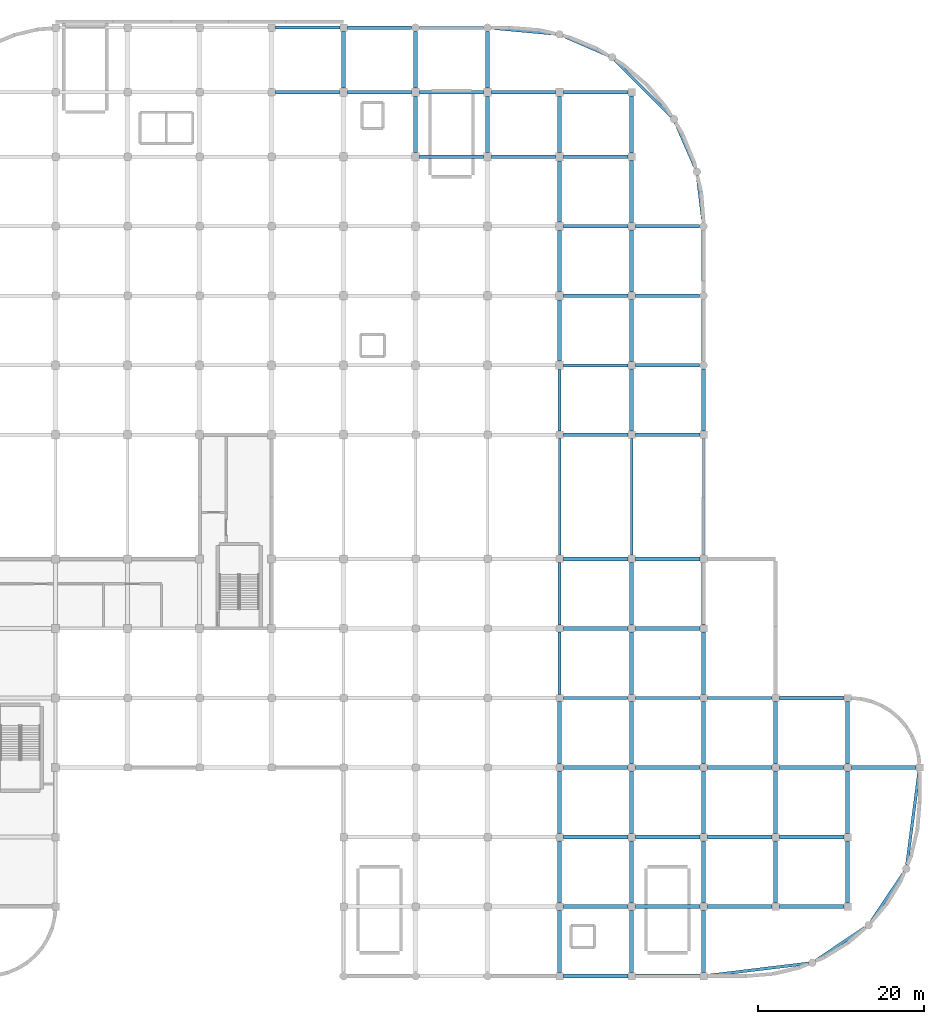
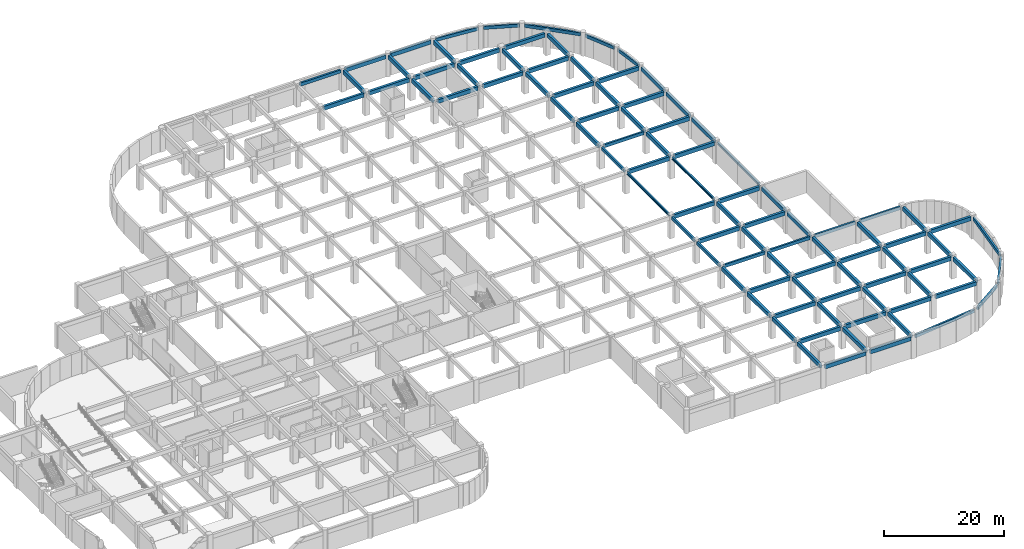
# One storey, part 5 of 19: 96 beams.
"""IFC4 building model written with IfcOpenShell, lengths in metres."""

from ifc_helpers import new_model, si_unit, derived_unit, direction, frame, origin, origin_2d, place, context, subcontext, project, spatial, rectangle, i_section, extrude, material, material_profile, profile_set, type_object, element, save


model = new_model("IFC4")

# Units and contexts
model_context = context("Model", 3, precision=1e-05, world=origin(), true_north=direction((0.0, 1.0)))
body_context = subcontext(model_context, "Body", "Model", "MODEL_VIEW")
ifc_project = project(units=[si_unit("LENGTHUNIT", "METRE"), si_unit("AREAUNIT", "SQUARE_METRE"), si_unit("VOLUMEUNIT", "CUBIC_METRE"), si_unit("PLANEANGLEUNIT", "RADIAN"), si_unit("MASSUNIT", "GRAM", prefix="KILO"), derived_unit("THERMALTRANSMITTANCEUNIT", [(si_unit("MASSUNIT", "GRAM", prefix="KILO"), 1), (si_unit("TIMEUNIT", "SECOND"), -3), (si_unit("THERMODYNAMICTEMPERATUREUNIT", "KELVIN"), -1)])], contexts=[model_context])

# Site, building, storey
site_placement = place(None, origin())
site = spatial("IfcSite", under=ifc_project, at=site_placement, CompositionType="ELEMENT")
building_placement = place(site_placement, origin())
building = spatial("IfcBuilding", under=site, at=building_placement, Name="Qinzheling Arcade Emporium", CompositionType="ELEMENT")
storey_placement = place(building_placement, frame((0.0, 0.0, -4.800048828125)))
storey = spatial("IfcBuildingStorey", under=building, at=storey_placement, Name="B1", CompositionType="ELEMENT", Elevation=-4.800048828125)

# Beams
ifc_material_1 = material(Name="Structural steel Q355B", Category="steel")
ifc_material_profile_1 = material_profile(ifc_material_1, i_section(OverallWidth=0.300048828125, OverallDepth=0.488037109375, WebThickness=0.010986328125, FlangeThickness=0.01806640625, FilletRadius=0.02197265625, at=origin_2d()), Name="HM 488x300x11x18", Category="steel")
ifc_profile_set_1 = profile_set([ifc_material_profile_1], Name="Structural steel Q355B")
beam_type_1 = type_object("IfcBeamType", Name="Atrium Bridge Girder HM488 Q355B", PredefinedType="USERDEFINED", material=ifc_profile_set_1)
for number, where, z_axis, x_axis, name in (
    (1, (130.5, 50.85009765625, 4.216064453125), (0.0, 1.0, 0.0), (-1.0, 0.0, 0.0), "Beam BM-B1-Y-16-G"),
    (2, (139.199951171875, 50.85009765625, 4.216064453125), (0.0, 1.0, 0.0), (-1.0, 0.0, 0.0), "Beam BM-B1-Y-17-G"),
    (3, (147.89990234375, 50.85009765625, 4.216064453125), (0.0, 1.0, 0.0), (-1.0, 0.0, 0.0), "Beam BM-B1-Y-18-G"),
):
    element("IfcBeam", number, at=place(storey_placement, frame(where, z_axis=z_axis, x_axis=x_axis)), inside=storey, type_object=beam_type_1, Name=name, ObjectType="TRANSFER_GIRDER", PredefinedType="USERDEFINED", context=body_context, shape_type="SweptSolid", body=[
        extrude(i_section(OverallWidth=0.300048828125, OverallDepth=0.488037109375, WebThickness=0.010986328125, FlangeThickness=0.01806640625, FilletRadius=0.02197265625, at=origin_2d()), origin(), (0.0, 0.0, 1.0), 14.099853515625),
    ])
ifc_material_2 = material(Name="Concrete C40", Category="concrete")
ifc_material_profile_2 = material_profile(ifc_material_2, rectangle(XDim=0.449951171875, YDim=0.800048828125, at=origin_2d()), Name="RC 450x800", Category="concrete")
ifc_profile_set_2 = profile_set([ifc_material_profile_2], Name="Concrete C40")
beam_type_2 = type_object("IfcBeamType", Name="RC Primary Frame Beam 450x800 C40", PredefinedType="BEAM", material=ifc_profile_set_2)
for number, where, z_axis, x_axis, name in (
    (4, (130.949951171875, 0.0, 4.06005859375), (1.0, 0.0, 0.0), (0.0, 1.0, 0.0), "Beam BM-B1-X-A-16"),
    (5, (139.64990234375, 0.0, 4.06005859375), (1.0, 0.0, 0.0), (0.0, 1.0, 0.0), "Beam BM-B1-X-A-17"),
    (6, (130.949951171875, 8.39990234375, 4.06005859375), (1.0, 0.0, 0.0), (0.0, 1.0, 0.0), "Beam BM-B1-X-B-16"),
    (7, (139.64990234375, 8.39990234375, 4.06005859375), (1.0, 0.0, 0.0), (0.0, 1.0, 0.0), "Beam BM-B1-X-B-17"),
):
    element("IfcBeam", number, at=place(storey_placement, frame(where, z_axis=z_axis, x_axis=x_axis)), inside=storey, type_object=beam_type_2, Name=name, PredefinedType="BEAM", context=body_context, shape_type="SweptSolid", body=[
        extrude(rectangle(XDim=0.449951171875, YDim=0.800048828125, at=origin_2d()), origin(), (0.0, 0.0, 1.0), 7.800048828125),
    ])
beam_1_placement = place(storey_placement, frame((148.35009765625, 8.39990234375, 4.06005859375), z_axis=(1.0, 0.0, 0.0), x_axis=(0.0, 1.0, 0.0)))
element("IfcBeam", 8, at=beam_1_placement, inside=storey, type_object=beam_type_2, Name="Beam BM-B1-X-B-18", PredefinedType="BEAM", context=body_context, shape_type="SweptSolid", body=[
    extrude(rectangle(XDim=0.449951171875, YDim=0.800048828125, at=origin_2d()), origin(), (0.0, 0.0, 1.0), 7.7998046875),
])
for number, where, z_axis, x_axis, name in (
    (9, (157.050048828125, 8.39990234375, 4.06005859375), (1.0, 0.0, 0.0), (0.0, 1.0, 0.0), "Beam BM-B1-X-B-19"),
    (10, (130.949951171875, 16.800048828125, 4.06005859375), (1.0, 0.0, 0.0), (0.0, 1.0, 0.0), "Beam BM-B1-X-C-16"),
    (11, (139.64990234375, 16.800048828125, 4.06005859375), (1.0, 0.0, 0.0), (0.0, 1.0, 0.0), "Beam BM-B1-X-C-17"),
):
    element("IfcBeam", number, at=place(storey_placement, frame(where, z_axis=z_axis, x_axis=x_axis)), inside=storey, type_object=beam_type_2, Name=name, PredefinedType="BEAM", context=body_context, shape_type="SweptSolid", body=[
        extrude(rectangle(XDim=0.449951171875, YDim=0.800048828125, at=origin_2d()), origin(), (0.0, 0.0, 1.0), 7.800048828125),
    ])
beam_2_placement = place(storey_placement, frame((148.35009765625, 16.800048828125, 4.06005859375), z_axis=(1.0, 0.0, 0.0), x_axis=(0.0, 1.0, 0.0)))
element("IfcBeam", 12, at=beam_2_placement, inside=storey, type_object=beam_type_2, Name="Beam BM-B1-X-C-18", PredefinedType="BEAM", context=body_context, shape_type="SweptSolid", body=[
    extrude(rectangle(XDim=0.449951171875, YDim=0.800048828125, at=origin_2d()), origin(), (0.0, 0.0, 1.0), 7.7998046875),
])
for number, where, z_axis, x_axis, name in (
    (13, (157.050048828125, 16.800048828125, 4.06005859375), (1.0, 0.0, 0.0), (0.0, 1.0, 0.0), "Beam BM-B1-X-C-19"),
    (14, (130.949951171875, 25.199951171875, 4.06005859375), (1.0, 0.0, 0.0), (0.0, 1.0, 0.0), "Beam BM-B1-X-D-16"),
    (15, (139.64990234375, 25.199951171875, 4.06005859375), (1.0, 0.0, 0.0), (0.0, 1.0, 0.0), "Beam BM-B1-X-D-17"),
):
    element("IfcBeam", number, at=place(storey_placement, frame(where, z_axis=z_axis, x_axis=x_axis)), inside=storey, type_object=beam_type_2, Name=name, PredefinedType="BEAM", context=body_context, shape_type="SweptSolid", body=[
        extrude(rectangle(XDim=0.449951171875, YDim=0.800048828125, at=origin_2d()), origin(), (0.0, 0.0, 1.0), 7.800048828125),
    ])
beam_3_placement = place(storey_placement, frame((148.35009765625, 25.199951171875, 4.06005859375), z_axis=(1.0, 0.0, 0.0), x_axis=(0.0, 1.0, 0.0)))
element("IfcBeam", 16, at=beam_3_placement, inside=storey, type_object=beam_type_2, Name="Beam BM-B1-X-D-18", PredefinedType="BEAM", context=body_context, shape_type="SweptSolid", body=[
    extrude(rectangle(XDim=0.449951171875, YDim=0.800048828125, at=origin_2d()), origin(), (0.0, 0.0, 1.0), 7.7998046875),
])
for number, where, z_axis, x_axis, name in (
    (17, (157.050048828125, 25.199951171875, 4.06005859375), (1.0, 0.0, 0.0), (0.0, 1.0, 0.0), "Beam BM-B1-X-D-19"),
    (18, (165.75, 25.199951171875, 4.06005859375), (1.0, 0.0, 0.0), (0.0, 1.0, 0.0), "Beam BM-B1-X-D-20"),
    (19, (130.949951171875, 42.0, 4.06005859375), (1.0, 0.0, 0.0), (0.0, 1.0, 0.0), "Beam BM-B1-X-F-16"),
    (20, (139.64990234375, 42.0, 4.06005859375), (1.0, 0.0, 0.0), (0.0, 1.0, 0.0), "Beam BM-B1-X-F-17"),
    (21, (130.949951171875, 50.39990234375, 4.06005859375), (1.0, 0.0, 0.0), (0.0, 1.0, 0.0), "Beam BM-B1-X-G-16"),
    (22, (139.64990234375, 50.39990234375, 4.06005859375), (1.0, 0.0, 0.0), (0.0, 1.0, 0.0), "Beam BM-B1-X-G-17"),
    (23, (130.949951171875, 65.39990234375, 4.06005859375), (1.0, 0.0, 0.0), (0.0, 1.0, 0.0), "Beam BM-B1-X-H-16"),
    (24, (139.64990234375, 65.39990234375, 4.06005859375), (1.0, 0.0, 0.0), (0.0, 1.0, 0.0), "Beam BM-B1-X-H-17"),
):
    element("IfcBeam", number, at=place(storey_placement, frame(where, z_axis=z_axis, x_axis=x_axis)), inside=storey, type_object=beam_type_2, Name=name, PredefinedType="BEAM", context=body_context, shape_type="SweptSolid", body=[
        extrude(rectangle(XDim=0.449951171875, YDim=0.800048828125, at=origin_2d()), origin(), (0.0, 0.0, 1.0), 7.800048828125),
    ])
beam_4_placement = place(storey_placement, frame((139.64990234375, 73.800048828125, 4.06005859375), z_axis=(1.0, 0.0, 0.0), x_axis=(0.0, 1.0, 0.0)))
element("IfcBeam", 25, at=beam_4_placement, inside=storey, type_object=beam_type_2, Name="Beam BM-B1-X-J-17", PredefinedType="BEAM", context=body_context, shape_type="SweptSolid", body=[
    extrude(rectangle(XDim=0.449951171875, YDim=0.800048828125, at=origin_2d()), origin(), (0.0, 0.0, 1.0), 7.775146484375),
])
beam_5_placement = place(storey_placement, frame((131.0, 82.199951171875, 4.06005859375), z_axis=(1.0, 0.0, 0.0), x_axis=(0.0, 1.0, 0.0)))
element("IfcBeam", 26, at=beam_5_placement, inside=storey, type_object=beam_type_2, Name="Beam BM-B1-X-K-16", PredefinedType="BEAM", context=body_context, shape_type="SweptSolid", body=[
    extrude(rectangle(XDim=0.449951171875, YDim=0.800048828125, at=origin_2d()), origin(), (0.0, 0.0, 1.0), 7.75),
])
beam_6_placement = place(storey_placement, frame((139.64990234375, 82.199951171875, 4.06005859375), z_axis=(1.0, 0.0, 0.0), x_axis=(0.0, 1.0, 0.0)))
element("IfcBeam", 27, at=beam_6_placement, inside=storey, type_object=beam_type_2, Name="Beam BM-B1-X-K-17", PredefinedType="BEAM", context=body_context, shape_type="SweptSolid", body=[
    extrude(rectangle(XDim=0.449951171875, YDim=0.800048828125, at=origin_2d()), origin(), (0.0, 0.0, 1.0), 7.775146484375),
])
beam_7_placement = place(storey_placement, frame((131.0, 90.60009765625, 4.06005859375), z_axis=(1.0, 0.0, 0.0), x_axis=(0.0, 1.0, 0.0)))
element("IfcBeam", 28, at=beam_7_placement, inside=storey, type_object=beam_type_2, Name="Beam BM-B1-X-L-16", PredefinedType="BEAM", context=body_context, shape_type="SweptSolid", body=[
    extrude(rectangle(XDim=0.449951171875, YDim=0.800048828125, at=origin_2d()), origin(), (0.0, 0.0, 1.0), 7.75),
])
beam_8_placement = place(storey_placement, frame((139.64990234375, 90.60009765625, 4.06005859375), z_axis=(1.0, 0.0, 0.0), x_axis=(0.0, 1.0, 0.0)))
element("IfcBeam", 29, at=beam_8_placement, inside=storey, type_object=beam_type_2, Name="Beam BM-B1-X-L-17", PredefinedType="BEAM", context=body_context, shape_type="SweptSolid", body=[
    extrude(rectangle(XDim=0.449951171875, YDim=0.800048828125, at=origin_2d()), origin(), (0.0, 0.0, 1.0), 7.775146484375),
])
for number, where, z_axis, x_axis, name in (
    (30, (113.60009765625, 99.0, 4.06005859375), (1.0, 0.0, 0.0), (0.0, 1.0, 0.0), "Beam BM-B1-X-M-14"),
    (31, (122.300048828125, 99.0, 4.06005859375), (1.0, 0.0, 0.0), (0.0, 1.0, 0.0), "Beam BM-B1-X-M-15"),
):
    element("IfcBeam", number, at=place(storey_placement, frame(where, z_axis=z_axis, x_axis=x_axis)), inside=storey, type_object=beam_type_2, Name=name, PredefinedType="BEAM", context=body_context, shape_type="SweptSolid", body=[
        extrude(rectangle(XDim=0.449951171875, YDim=0.800048828125, at=origin_2d()), origin(), (0.0, 0.0, 1.0), 7.699951171875),
    ])
for number, where, z_axis, x_axis, name in (
    (32, (131.0, 99.0, 4.06005859375), (1.0, 0.0, 0.0), (0.0, 1.0, 0.0), "Beam BM-B1-X-M-16"),
    (33, (96.14990234375, 106.800048828125, 4.06005859375), (1.0, 0.0, 0.0), (0.0, 1.0, 0.0), "Beam BM-B1-X-N-12"),
):
    element("IfcBeam", number, at=place(storey_placement, frame(where, z_axis=z_axis, x_axis=x_axis)), inside=storey, type_object=beam_type_2, Name=name, PredefinedType="BEAM", context=body_context, shape_type="SweptSolid", body=[
        extrude(rectangle(XDim=0.449951171875, YDim=0.800048828125, at=origin_2d()), origin(), (0.0, 0.0, 1.0), 7.75),
    ])
beam_9_placement = place(storey_placement, frame((104.89990234375, 106.800048828125, 4.06005859375), z_axis=(1.0, 0.0, 0.0), x_axis=(0.0, 1.0, 0.0)))
element("IfcBeam", 34, at=beam_9_placement, inside=storey, type_object=beam_type_2, Name="Beam BM-B1-X-N-13", PredefinedType="BEAM", context=body_context, shape_type="SweptSolid", body=[
    extrude(rectangle(XDim=0.449951171875, YDim=0.800048828125, at=origin_2d()), origin(), (0.0, 0.0, 1.0), 7.7001953125),
])
for number, where, z_axis, x_axis, name in (
    (35, (113.60009765625, 106.800048828125, 4.06005859375), (1.0, 0.0, 0.0), (0.0, 1.0, 0.0), "Beam BM-B1-X-N-14"),
    (36, (122.300048828125, 106.800048828125, 4.06005859375), (1.0, 0.0, 0.0), (0.0, 1.0, 0.0), "Beam BM-B1-X-N-15"),
):
    element("IfcBeam", number, at=place(storey_placement, frame(where, z_axis=z_axis, x_axis=x_axis)), inside=storey, type_object=beam_type_2, Name=name, PredefinedType="BEAM", context=body_context, shape_type="SweptSolid", body=[
        extrude(rectangle(XDim=0.449951171875, YDim=0.800048828125, at=origin_2d()), origin(), (0.0, 0.0, 1.0), 7.699951171875),
    ])
beam_10_placement = place(storey_placement, frame((131.0, 106.800048828125, 4.06005859375), z_axis=(1.0, 0.0, 0.0), x_axis=(0.0, 1.0, 0.0)))
element("IfcBeam", 37, at=beam_10_placement, inside=storey, type_object=beam_type_2, Name="Beam BM-B1-X-N-16", PredefinedType="BEAM", context=body_context, shape_type="SweptSolid", body=[
    extrude(rectangle(XDim=0.449951171875, YDim=0.800048828125, at=origin_2d()), origin(), (0.0, 0.0, 1.0), 7.75),
])
beam_11_placement = place(storey_placement, frame((104.85009765625, 114.60009765625, 4.06005859375), z_axis=(1.0, 0.0, 0.0), x_axis=(0.0, 1.0, 0.0)))
element("IfcBeam", 38, at=beam_11_placement, inside=storey, type_object=beam_type_2, Name="Beam BM-B1-X-P-13", PredefinedType="BEAM", context=body_context, shape_type="SweptSolid", body=[
    extrude(rectangle(XDim=0.449951171875, YDim=0.800048828125, at=origin_2d()), origin(), (0.0, 0.0, 1.0), 7.77490234375),
])
beam_12_placement = place(storey_placement, frame((113.574951171875, 114.60009765625, 4.06005859375), z_axis=(1.0, 0.0, 0.0), x_axis=(0.0, 1.0, 0.0)))
element("IfcBeam", 39, at=beam_12_placement, inside=storey, type_object=beam_type_2, Name="Beam BM-B1-X-P-14", PredefinedType="BEAM", context=body_context, shape_type="SweptSolid", body=[
    extrude(rectangle(XDim=0.449951171875, YDim=0.800048828125, at=origin_2d()), origin(), (0.0, 0.0, 1.0), 7.75),
])
beam_13_placement = place(storey_placement, frame((104.39990234375, 107.300048828125, 4.06005859375), z_axis=(0.0, 1.0, 0.0), x_axis=(-1.0, 0.0, 0.0)))
element("IfcBeam", 40, at=beam_13_placement, inside=storey, type_object=beam_type_2, Name="Beam BM-B1-Y-13-N", PredefinedType="BEAM", context=body_context, shape_type="SweptSolid", body=[
    extrude(rectangle(XDim=0.449951171875, YDim=0.800048828125, at=origin_2d()), origin(), (0.0, 0.0, 1.0), 6.849853515625),
])
beam_14_placement = place(storey_placement, frame((113.10009765625, 99.5, 4.06005859375), z_axis=(0.0, 1.0, 0.0), x_axis=(-1.0, 0.0, 0.0)))
element("IfcBeam", 41, at=beam_14_placement, inside=storey, type_object=beam_type_2, Name="Beam BM-B1-Y-14-M", PredefinedType="BEAM", context=body_context, shape_type="SweptSolid", body=[
    extrude(rectangle(XDim=0.449951171875, YDim=0.800048828125, at=origin_2d()), origin(), (0.0, 0.0, 1.0), 6.800048828125),
])
beam_15_placement = place(storey_placement, frame((113.10009765625, 107.300048828125, 4.06005859375), z_axis=(0.0, 1.0, 0.0), x_axis=(-1.0, 0.0, 0.0)))
element("IfcBeam", 42, at=beam_15_placement, inside=storey, type_object=beam_type_2, Name="Beam BM-B1-Y-14-N", PredefinedType="BEAM", context=body_context, shape_type="SweptSolid", body=[
    extrude(rectangle(XDim=0.449951171875, YDim=0.800048828125, at=origin_2d()), origin(), (0.0, 0.0, 1.0), 6.824951171875),
])
beam_16_placement = place(storey_placement, frame((121.800048828125, 99.5, 4.06005859375), z_axis=(0.0, 1.0, 0.0), x_axis=(-1.0, 0.0, 0.0)))
element("IfcBeam", 43, at=beam_16_placement, inside=storey, type_object=beam_type_2, Name="Beam BM-B1-Y-15-M", PredefinedType="BEAM", context=body_context, shape_type="SweptSolid", body=[
    extrude(rectangle(XDim=0.449951171875, YDim=0.800048828125, at=origin_2d()), origin(), (0.0, 0.0, 1.0), 6.800048828125),
])
beam_17_placement = place(storey_placement, frame((121.800048828125, 107.300048828125, 4.06005859375), z_axis=(0.0, 1.0, 0.0), x_axis=(-1.0, 0.0, 0.0)))
element("IfcBeam", 44, at=beam_17_placement, inside=storey, type_object=beam_type_2, Name="Beam BM-B1-Y-15-N", PredefinedType="BEAM", context=body_context, shape_type="SweptSolid", body=[
    extrude(rectangle(XDim=0.449951171875, YDim=0.800048828125, at=origin_2d()), origin(), (0.0, 0.0, 1.0), 6.824951171875),
])
for number, where, z_axis, x_axis, name in (
    (45, (130.5, 0.449951171875, 4.06005859375), (0.0, 1.0, 0.0), (-1.0, 0.0, 0.0), "Beam BM-B1-Y-16-A"),
    (46, (130.5, 8.85009765625, 4.06005859375), (0.0, 1.0, 0.0), (-1.0, 0.0, 0.0), "Beam BM-B1-Y-16-B"),
    (47, (130.5, 17.25, 4.06005859375), (0.0, 1.0, 0.0), (-1.0, 0.0, 0.0), "Beam BM-B1-Y-16-C"),
    (48, (130.5, 25.64990234375, 4.06005859375), (0.0, 1.0, 0.0), (-1.0, 0.0, 0.0), "Beam BM-B1-Y-16-D"),
):
    element("IfcBeam", number, at=place(storey_placement, frame(where, z_axis=z_axis, x_axis=x_axis)), inside=storey, type_object=beam_type_2, Name=name, PredefinedType="BEAM", context=body_context, shape_type="SweptSolid", body=[
        extrude(rectangle(XDim=0.449951171875, YDim=0.800048828125, at=origin_2d()), origin(), (0.0, 0.0, 1.0), 7.5),
    ])
beam_18_placement = place(storey_placement, frame((130.5, 74.300048828125, 4.06005859375), z_axis=(0.0, 1.0, 0.0), x_axis=(-1.0, 0.0, 0.0)))
element("IfcBeam", 49, at=beam_18_placement, inside=storey, type_object=beam_type_2, Name="Beam BM-B1-Y-16-J", PredefinedType="BEAM", context=body_context, shape_type="SweptSolid", body=[
    extrude(rectangle(XDim=0.449951171875, YDim=0.800048828125, at=origin_2d()), origin(), (0.0, 0.0, 1.0), 7.39990234375),
])
beam_19_placement = place(storey_placement, frame((130.5, 82.699951171875, 4.06005859375), z_axis=(0.0, 1.0, 0.0), x_axis=(-1.0, 0.0, 0.0)))
element("IfcBeam", 50, at=beam_19_placement, inside=storey, type_object=beam_type_2, Name="Beam BM-B1-Y-16-K", PredefinedType="BEAM", context=body_context, shape_type="SweptSolid", body=[
    extrude(rectangle(XDim=0.449951171875, YDim=0.800048828125, at=origin_2d()), origin(), (0.0, 0.0, 1.0), 7.400146484375),
])
beam_20_placement = place(storey_placement, frame((130.5, 91.10009765625, 4.06005859375), z_axis=(0.0, 1.0, 0.0), x_axis=(-1.0, 0.0, 0.0)))
element("IfcBeam", 51, at=beam_20_placement, inside=storey, type_object=beam_type_2, Name="Beam BM-B1-Y-16-L", PredefinedType="BEAM", context=body_context, shape_type="SweptSolid", body=[
    extrude(rectangle(XDim=0.449951171875, YDim=0.800048828125, at=origin_2d()), origin(), (0.0, 0.0, 1.0), 7.39990234375),
])
beam_21_placement = place(storey_placement, frame((130.5, 99.5, 4.06005859375), z_axis=(0.0, 1.0, 0.0), x_axis=(-1.0, 0.0, 0.0)))
element("IfcBeam", 52, at=beam_21_placement, inside=storey, type_object=beam_type_2, Name="Beam BM-B1-Y-16-M", PredefinedType="BEAM", context=body_context, shape_type="SweptSolid", body=[
    extrude(rectangle(XDim=0.449951171875, YDim=0.800048828125, at=origin_2d()), origin(), (0.0, 0.0, 1.0), 6.800048828125),
])
for number, where, z_axis, x_axis, name in (
    (53, (139.199951171875, 0.449951171875, 4.06005859375), (0.0, 1.0, 0.0), (-1.0, 0.0, 0.0), "Beam BM-B1-Y-17-A"),
    (54, (139.199951171875, 8.85009765625, 4.06005859375), (0.0, 1.0, 0.0), (-1.0, 0.0, 0.0), "Beam BM-B1-Y-17-B"),
    (55, (139.199951171875, 17.25, 4.06005859375), (0.0, 1.0, 0.0), (-1.0, 0.0, 0.0), "Beam BM-B1-Y-17-C"),
    (56, (139.199951171875, 25.64990234375, 4.06005859375), (0.0, 1.0, 0.0), (-1.0, 0.0, 0.0), "Beam BM-B1-Y-17-D"),
    (57, (139.199951171875, 34.050048828125, 4.06005859375), (0.0, 1.0, 0.0), (-1.0, 0.0, 0.0), "Beam BM-B1-Y-17-E"),
    (58, (139.199951171875, 42.449951171875, 4.06005859375), (0.0, 1.0, 0.0), (-1.0, 0.0, 0.0), "Beam BM-B1-Y-17-F"),
    (59, (139.199951171875, 65.85009765625, 4.06005859375), (0.0, 1.0, 0.0), (-1.0, 0.0, 0.0), "Beam BM-B1-Y-17-H"),
    (60, (139.199951171875, 74.25, 4.06005859375), (0.0, 1.0, 0.0), (-1.0, 0.0, 0.0), "Beam BM-B1-Y-17-J"),
    (61, (139.199951171875, 82.64990234375, 4.06005859375), (0.0, 1.0, 0.0), (-1.0, 0.0, 0.0), "Beam BM-B1-Y-17-K"),
    (62, (139.199951171875, 91.050048828125, 4.06005859375), (0.0, 1.0, 0.0), (-1.0, 0.0, 0.0), "Beam BM-B1-Y-17-L"),
):
    element("IfcBeam", number, at=place(storey_placement, frame(where, z_axis=z_axis, x_axis=x_axis)), inside=storey, type_object=beam_type_2, Name=name, PredefinedType="BEAM", context=body_context, shape_type="SweptSolid", body=[
        extrude(rectangle(XDim=0.449951171875, YDim=0.800048828125, at=origin_2d()), origin(), (0.0, 0.0, 1.0), 7.5),
    ])
beam_22_placement = place(storey_placement, frame((139.199951171875, 99.449951171875, 4.06005859375), z_axis=(0.0, 1.0, 0.0), x_axis=(-1.0, 0.0, 0.0)))
element("IfcBeam", 63, at=beam_22_placement, inside=storey, type_object=beam_type_2, Name="Beam BM-B1-Y-17-M", PredefinedType="BEAM", context=body_context, shape_type="SweptSolid", body=[
    extrude(rectangle(XDim=0.449951171875, YDim=0.800048828125, at=origin_2d()), origin(), (0.0, 0.0, 1.0), 6.900146484375),
])
for number, where, z_axis, x_axis, name in (
    (64, (147.89990234375, 0.449951171875, 4.06005859375), (0.0, 1.0, 0.0), (-1.0, 0.0, 0.0), "Beam BM-B1-Y-18-A"),
    (65, (147.89990234375, 8.85009765625, 4.06005859375), (0.0, 1.0, 0.0), (-1.0, 0.0, 0.0), "Beam BM-B1-Y-18-B"),
    (66, (147.89990234375, 17.25, 4.06005859375), (0.0, 1.0, 0.0), (-1.0, 0.0, 0.0), "Beam BM-B1-Y-18-C"),
    (67, (147.89990234375, 25.64990234375, 4.06005859375), (0.0, 1.0, 0.0), (-1.0, 0.0, 0.0), "Beam BM-B1-Y-18-D"),
    (68, (147.89990234375, 34.050048828125, 4.06005859375), (0.0, 1.0, 0.0), (-1.0, 0.0, 0.0), "Beam BM-B1-Y-18-E"),
    (69, (147.89990234375, 42.449951171875, 4.06005859375), (0.0, 1.0, 0.0), (-1.0, 0.0, 0.0), "Beam BM-B1-Y-18-F"),
):
    element("IfcBeam", number, at=place(storey_placement, frame(where, z_axis=z_axis, x_axis=x_axis)), inside=storey, type_object=beam_type_2, Name=name, PredefinedType="BEAM", context=body_context, shape_type="SweptSolid", body=[
        extrude(rectangle(XDim=0.449951171875, YDim=0.800048828125, at=origin_2d()), origin(), (0.0, 0.0, 1.0), 7.5),
    ])
beam_23_placement = place(storey_placement, frame((147.89990234375, 65.85009765625, 4.06005859375), z_axis=(0.0, 1.0, 0.0), x_axis=(-1.0, 0.0, 0.0)))
element("IfcBeam", 70, at=beam_23_placement, inside=storey, type_object=beam_type_2, Name="Beam BM-B1-Y-18-H", PredefinedType="BEAM", context=body_context, shape_type="SweptSolid", body=[
    extrude(rectangle(XDim=0.449951171875, YDim=0.800048828125, at=origin_2d()), origin(), (0.0, 0.0, 1.0), 7.474853515625),
])
beam_24_placement = place(storey_placement, frame((147.89990234375, 74.27490234375, 4.06005859375), z_axis=(0.0, 1.0, 0.0), x_axis=(-1.0, 0.0, 0.0)))
element("IfcBeam", 71, at=beam_24_placement, inside=storey, type_object=beam_type_2, Name="Beam BM-B1-Y-18-J", PredefinedType="BEAM", context=body_context, shape_type="SweptSolid", body=[
    extrude(rectangle(XDim=0.449951171875, YDim=0.800048828125, at=origin_2d()), origin(), (0.0, 0.0, 1.0), 7.4501953125),
])
beam_25_placement = place(storey_placement, frame((147.89990234375, 82.675048828125, 4.06005859375), z_axis=(0.0, 1.0, 0.0), x_axis=(-1.0, 0.0, 0.0)))
element("IfcBeam", 72, at=beam_25_placement, inside=storey, type_object=beam_type_2, Name="Beam BM-B1-Y-18-K", PredefinedType="BEAM", context=body_context, shape_type="SweptSolid", body=[
    extrude(rectangle(XDim=0.449951171875, YDim=0.800048828125, at=origin_2d()), origin(), (0.0, 0.0, 1.0), 7.449951171875),
])
for number, where, z_axis, x_axis, name in (
    (73, (156.60009765625, 8.85009765625, 4.06005859375), (0.0, 1.0, 0.0), (-1.0, 0.0, 0.0), "Beam BM-B1-Y-19-B"),
    (74, (156.60009765625, 17.25, 4.06005859375), (0.0, 1.0, 0.0), (-1.0, 0.0, 0.0), "Beam BM-B1-Y-19-C"),
    (75, (156.60009765625, 25.64990234375, 4.06005859375), (0.0, 1.0, 0.0), (-1.0, 0.0, 0.0), "Beam BM-B1-Y-19-D"),
    (76, (165.300048828125, 8.85009765625, 4.06005859375), (0.0, 1.0, 0.0), (-1.0, 0.0, 0.0), "Beam BM-B1-Y-20-B"),
    (77, (165.300048828125, 17.25, 4.06005859375), (0.0, 1.0, 0.0), (-1.0, 0.0, 0.0), "Beam BM-B1-Y-20-C"),
    (78, (165.300048828125, 25.64990234375, 4.06005859375), (0.0, 1.0, 0.0), (-1.0, 0.0, 0.0), "Beam BM-B1-Y-20-D"),
):
    element("IfcBeam", number, at=place(storey_placement, frame(where, z_axis=z_axis, x_axis=x_axis)), inside=storey, type_object=beam_type_2, Name=name, PredefinedType="BEAM", context=body_context, shape_type="SweptSolid", body=[
        extrude(rectangle(XDim=0.449951171875, YDim=0.800048828125, at=origin_2d()), origin(), (0.0, 0.0, 1.0), 7.5),
    ])
ifc_material_profile_3 = material_profile(ifc_material_2, rectangle(XDim=0.35009765625, YDim=0.64990234375, at=origin_2d()), Name="RC 350x650", Category="concrete")
ifc_profile_set_3 = profile_set([ifc_material_profile_3], Name="Concrete C40")
beam_type_3 = type_object("IfcBeamType", Name="RC Spandrel Edge Beam 350x650 C40", PredefinedType="SPANDREL", material=ifc_profile_set_3)
for number, where, z_axis, x_axis, name in (
    (79, (130.949951171875, 33.60009765625, 4.135009765625), (1.0, 0.0, 0.0), (0.0, 1.0, 0.0), "Beam BM-B1-X-E-16"),
    (80, (139.64990234375, 33.60009765625, 4.135009765625), (1.0, 0.0, 0.0), (0.0, 1.0, 0.0), "Beam BM-B1-X-E-17"),
):
    element("IfcBeam", number, at=place(storey_placement, frame(where, z_axis=z_axis, x_axis=x_axis)), inside=storey, type_object=beam_type_3, Name=name, PredefinedType="SPANDREL", context=body_context, shape_type="SweptSolid", body=[
        extrude(rectangle(XDim=0.35009765625, YDim=0.64990234375, at=origin_2d()), origin(), (0.0, 0.0, 1.0), 7.800048828125),
    ])
beam_26_placement = place(storey_placement, frame((148.35009765625, 33.60009765625, 4.135009765625), z_axis=(1.0, 0.0, 0.0), x_axis=(0.0, 1.0, 0.0)))
element("IfcBeam", 81, at=beam_26_placement, inside=storey, type_object=beam_type_3, Name="Beam BM-B1-X-E-18", PredefinedType="SPANDREL", context=body_context, shape_type="SweptSolid", body=[
    extrude(rectangle(XDim=0.35009765625, YDim=0.64990234375, at=origin_2d()), origin(), (0.0, 0.0, 1.0), 7.7998046875),
])
beam_27_placement = place(storey_placement, frame((157.050048828125, 33.60009765625, 4.135009765625), z_axis=(1.0, 0.0, 0.0), x_axis=(0.0, 1.0, 0.0)))
element("IfcBeam", 82, at=beam_27_placement, inside=storey, type_object=beam_type_3, Name="Beam BM-B1-X-E-19", PredefinedType="SPANDREL", context=body_context, shape_type="SweptSolid", body=[
    extrude(rectangle(XDim=0.35009765625, YDim=0.64990234375, at=origin_2d()), origin(), (0.0, 0.0, 1.0), 7.800048828125),
])
beam_28_placement = place(storey_placement, frame((131.0, 73.800048828125, 4.135009765625), z_axis=(1.0, 0.0, 0.0), x_axis=(0.0, 1.0, 0.0)))
element("IfcBeam", 83, at=beam_28_placement, inside=storey, type_object=beam_type_3, Name="Beam BM-B1-X-J-16", PredefinedType="SPANDREL", context=body_context, shape_type="SweptSolid", body=[
    extrude(rectangle(XDim=0.35009765625, YDim=0.64990234375, at=origin_2d()), origin(), (0.0, 0.0, 1.0), 7.75),
])
beam_29_placement = place(storey_placement, frame((96.14990234375, 114.60009765625, 4.135009765625), z_axis=(1.0, 0.0, 0.0), x_axis=(0.0, 1.0, 0.0)))
element("IfcBeam", 84, at=beam_29_placement, inside=storey, type_object=beam_type_3, Name="Beam BM-B1-X-P-12", PredefinedType="SPANDREL", context=body_context, shape_type="SweptSolid", body=[
    extrude(rectangle(XDim=0.35009765625, YDim=0.64990234375, at=origin_2d()), origin(), (0.0, 0.0, 1.0), 7.800048828125),
])
for number, where, z_axis, x_axis, name in (
    (85, (130.5, 34.050048828125, 4.135009765625), (0.0, 1.0, 0.0), (-1.0, 0.0, 0.0), "Beam BM-B1-Y-16-E"),
    (86, (130.5, 42.449951171875, 4.135009765625), (0.0, 1.0, 0.0), (-1.0, 0.0, 0.0), "Beam BM-B1-Y-16-F"),
):
    element("IfcBeam", number, at=place(storey_placement, frame(where, z_axis=z_axis, x_axis=x_axis)), inside=storey, type_object=beam_type_3, Name=name, PredefinedType="SPANDREL", context=body_context, shape_type="SweptSolid", body=[
        extrude(rectangle(XDim=0.35009765625, YDim=0.64990234375, at=origin_2d()), origin(), (0.0, 0.0, 1.0), 7.5),
    ])
beam_30_placement = place(storey_placement, frame((130.5, 65.85009765625, 4.135009765625), z_axis=(0.0, 1.0, 0.0), x_axis=(-1.0, 0.0, 0.0)))
element("IfcBeam", 87, at=beam_30_placement, inside=storey, type_object=beam_type_3, Name="Beam BM-B1-Y-16-H", PredefinedType="SPANDREL", context=body_context, shape_type="SweptSolid", body=[
    extrude(rectangle(XDim=0.35009765625, YDim=0.64990234375, at=origin_2d()), origin(), (0.0, 0.0, 1.0), 7.449951171875),
])
beam_31_placement = place(storey_placement, frame((148.366943359375, 0.056884765625, 4.135009765625), z_axis=(0.992674779847, 0.120817140572, 0.0), x_axis=(-0.120817140572, 0.992674779847, 0.0)))
element("IfcBeam", 88, at=beam_31_placement, inside=storey, type_object=beam_type_3, Name="Curved Arcade Spandrel BM-B1-CV4-B01", PredefinedType="SPANDREL", context=body_context, shape_type="SweptSolid", body=[
    extrude(rectangle(XDim=0.35009765625, YDim=0.64990234375, at=origin_2d()), origin(), (0.0, 0.0, 1.0), 12.292236328125),
])
for number, where, z_axis, x_axis, name in (
    (89, (161.427001953125, 1.860107421875, 4.135009765625), (0.831469874952, 0.555569839937, 0.0), (-0.555569839937, 0.831469874952, 0.0), "Curved Arcade Spandrel BM-B1-CV4-B02"),
    (90, (168.110107421875, 6.5419921875, 4.135009765625), (0.555569839937, 0.831469874952, 0.0), (-0.831469874952, 0.555569839937, 0.0), "Curved Arcade Spandrel BM-B1-CV4-B03"),
):
    element("IfcBeam", number, at=place(storey_placement, frame(where, z_axis=z_axis, x_axis=x_axis)), inside=storey, type_object=beam_type_3, Name=name, PredefinedType="SPANDREL", context=body_context, shape_type="SweptSolid", body=[
        extrude(rectangle(XDim=0.35009765625, YDim=0.64990234375, at=origin_2d()), origin(), (0.0, 0.0, 1.0), 7.25341796875),
    ])
beam_32_placement = place(storey_placement, frame((172.4619140625, 13.429931640625, 4.135009765625), z_axis=(0.129565319935, 0.991570888979, 0.0), x_axis=(-0.991570888979, 0.129565319935, 0.0)))
element("IfcBeam", 91, at=beam_32_placement, inside=storey, type_object=beam_type_3, Name="Curved Arcade Spandrel BM-B1-CV4-B04", PredefinedType="SPANDREL", context=body_context, shape_type="SweptSolid", body=[
    extrude(rectangle(XDim=0.35009765625, YDim=0.64990234375, at=origin_2d()), origin(), (0.0, 0.0, 1.0), 11.400146484375),
])
beam_33_placement = place(storey_placement, frame((147.843017578125, 91.06689453125, 4.135009765625), z_axis=(-0.120743975831, 0.992683681895, 0.0), x_axis=(-0.992683681895, -0.120743975831, 0.0)))
element("IfcBeam", 92, at=beam_33_placement, inside=storey, type_object=beam_type_3, Name="Curved Arcade Spandrel BM-B1-CV6-B01", PredefinedType="SPANDREL", context=body_context, shape_type="SweptSolid", body=[
    extrude(rectangle(XDim=0.35009765625, YDim=0.64990234375, at=origin_2d()), origin(), (0.0, 0.0, 1.0), 5.68994140625),
])
beam_34_placement = place(storey_placement, frame((146.912109375, 97.613037109375, 4.135009765625), z_axis=(-0.398833101569, 0.917023531374, 0.0), x_axis=(-0.917023531374, -0.398833101569, 0.0)))
element("IfcBeam", 93, at=beam_34_placement, inside=storey, type_object=beam_type_3, Name="Curved Arcade Spandrel BM-B1-CV6-B02", PredefinedType="SPANDREL", context=body_context, shape_type="SweptSolid", body=[
    extrude(rectangle(XDim=0.35009765625, YDim=0.64990234375, at=origin_2d()), origin(), (0.0, 0.0, 1.0), 6.007568359375),
])
beam_35_placement = place(storey_placement, frame((143.9970703125, 103.885009765625, 4.135009765625), z_axis=(-0.707106781187, 0.707106781187, 0.0), x_axis=(-0.707106781187, -0.707106781187, 0.0)))
element("IfcBeam", 94, at=beam_35_placement, inside=storey, type_object=beam_type_3, Name="Curved Arcade Spandrel BM-B1-CV6-B03", PredefinedType="SPANDREL", context=body_context, shape_type="SweptSolid", body=[
    extrude(rectangle(XDim=0.35009765625, YDim=0.64990234375, at=origin_2d()), origin(), (0.0, 0.0, 1.0), 9.633544921875),
])
beam_36_placement = place(storey_placement, frame((136.422119140625, 111.216064453125, 4.135009765625), z_axis=(-0.917023531374, 0.398833101569, 0.0), x_axis=(-0.398833101569, -0.917023531374, 0.0)))
element("IfcBeam", 95, at=beam_36_placement, inside=storey, type_object=beam_type_3, Name="Curved Arcade Spandrel BM-B1-CV6-B04", PredefinedType="SPANDREL", context=body_context, shape_type="SweptSolid", body=[
    extrude(rectangle(XDim=0.35009765625, YDim=0.64990234375, at=origin_2d()), origin(), (0.0, 0.0, 1.0), 6.007568359375),
])
beam_37_placement = place(storey_placement, frame((130.013916015625, 113.842041015625, 4.135009765625), z_axis=(-0.995768534988, 0.09189681566, 0.0), x_axis=(-0.09189681566, -0.995768534988, 0.0)))
element("IfcBeam", 96, at=beam_37_placement, inside=storey, type_object=beam_type_3, Name="Curved Arcade Spandrel BM-B1-CV6-B05", PredefinedType="SPANDREL", context=body_context, shape_type="SweptSolid", body=[
    extrude(rectangle(XDim=0.35009765625, YDim=0.64990234375, at=origin_2d()), origin(), (0.0, 0.0, 1.0), 7.77880859375),
])

save(model, "model.ifc")
